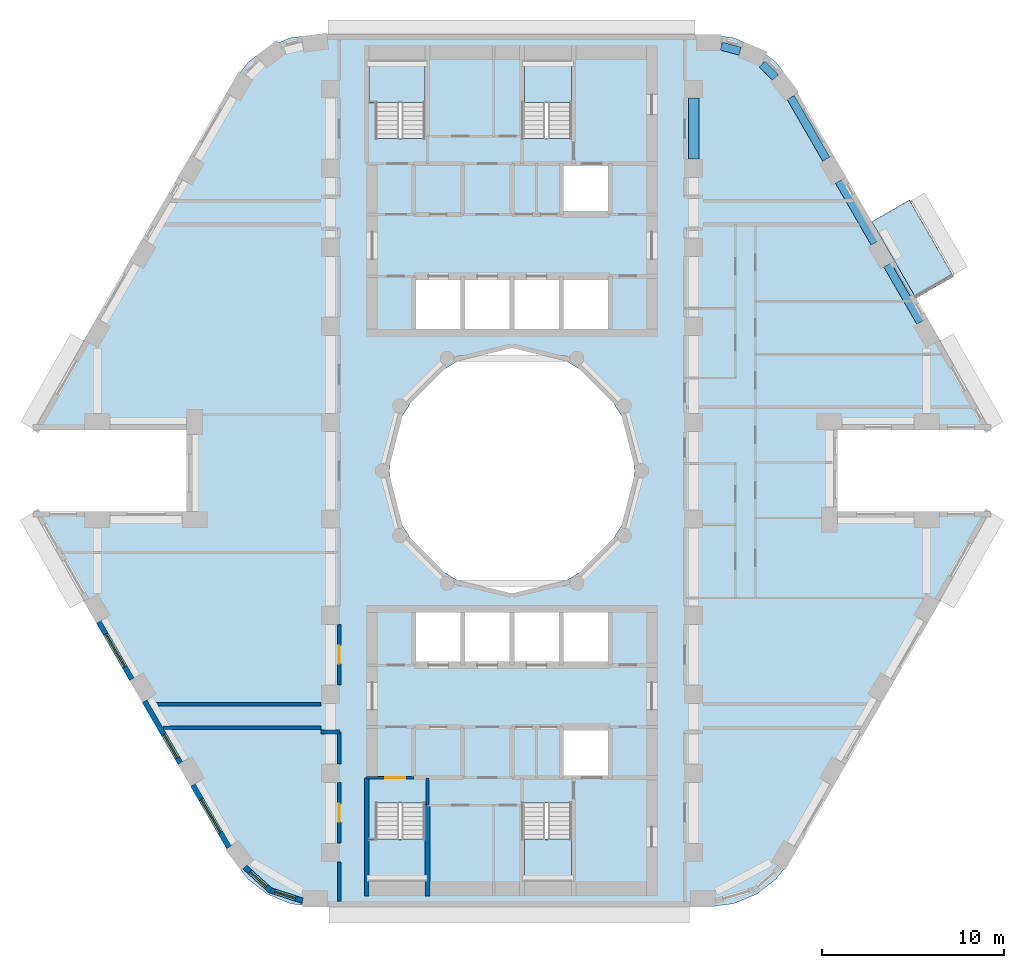
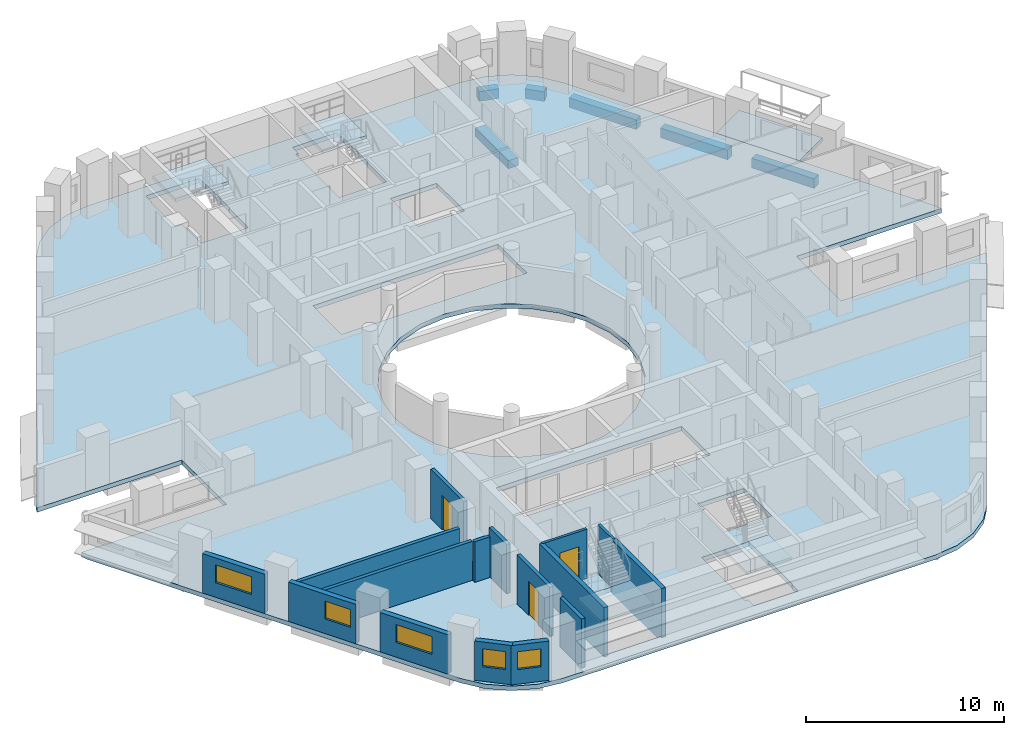
# One storey, part 2 of 13: 16 walls, 6 beams, 6 slabs, 5 windows, 3 doors, 8 openings, 4 elements without a shape of their own.
"""IFC4 building model written with IfcOpenShell, lengths in metres."""

from ifc_helpers import new_model, si_unit, direction, frame, frame_2d, origin, origin_2d, place, context, subcontext, project, spatial, polyline, rectangle, outline, extrude, material, layer, layer_set, material_profile, profile_set, type_object, element, fill, aggregate, save


model = new_model("IFC4")

# Units and contexts
model_context = context("Model", 3, precision=1e-05, world=origin(), true_north=direction((0.0, 1.0)))
body_context = subcontext(model_context, "Body", "Model", "MODEL_VIEW")
ifc_project = project(units=[si_unit("LENGTHUNIT", "METRE"), si_unit("AREAUNIT", "SQUARE_METRE"), si_unit("VOLUMEUNIT", "CUBIC_METRE"), si_unit("PLANEANGLEUNIT", "RADIAN"), si_unit("MASSUNIT", "GRAM", prefix="KILO")], contexts=[model_context])

# Site, building, storey
site_placement = place(None, origin())
site = spatial("IfcSite", under=ifc_project, at=site_placement, CompositionType="ELEMENT")
building_placement = place(site_placement, origin())
building = spatial("IfcBuilding", under=site, at=building_placement, Name="Nakaniwa Court", CompositionType="ELEMENT")
storey_placement = place(building_placement, frame((0.0, 0.0, 81.0)))
storey = spatial("IfcBuildingStorey", under=building, at=storey_placement, Name="L20", CompositionType="ELEMENT", Elevation=81.0)

# Beams
ifc_material_1 = material(Name="Concrete C80/100", Category="concrete")
ifc_material_profile_1 = material_profile(ifc_material_1, rectangle(XDim=0.449951171875, YDim=0.60009765625, at=origin_2d()), Name="Concrete C80/100 RC 450x600 spandrel beam")
ifc_profile_set_1 = profile_set([ifc_material_profile_1], Name="Concrete C80/100")
beam_type_1 = type_object("IfcBeamType", Name="Concrete C80/100 RC 450x600 spandrel beam", PredefinedType="BEAM", material=ifc_profile_set_1)
beam_1_placement = place(storey_placement, frame((102.472900390625, 88.17578125, -0.574951171875), z_axis=(-0.499988394233, 0.866032104273, 0.0), x_axis=(-0.866032104273, -0.499988394233, 0.0)))
element("IfcBeam", 1, at=beam_1_placement, inside=storey, type_object=beam_type_1, Name="SPANDREL BEAM", PredefinedType="BEAM", context=body_context, shape_type="SweptSolid", body=[
    extrude(rectangle(XDim=0.449951171875, YDim=0.60009765625, at=origin_2d()), origin(), (0.0, 0.0, 1.0), 3.62890625),
])
beam_2_placement = place(storey_placement, frame((99.95849609375, 92.531005859375, -0.574951171875), z_axis=(-0.49999161165, 0.866030246746, 0.0), x_axis=(-0.866030246746, -0.49999161165, 0.0)))
element("IfcBeam", 2, at=beam_2_placement, inside=storey, type_object=beam_type_1, Name="SPANDREL BEAM", PredefinedType="BEAM", context=body_context, shape_type="SweptSolid", body=[
    extrude(rectangle(XDim=0.449951171875, YDim=0.60009765625, at=origin_2d()), origin(), (0.0, 0.0, 1.0), 3.92578125),
])
beam_3_placement = place(storey_placement, frame((97.29541015625, 97.143310546875, -0.574951171875), z_axis=(-0.499997407846, 0.86602690036, 0.0), x_axis=(-0.86602690036, -0.499997407846, 0.0)))
element("IfcBeam", 3, at=beam_3_placement, inside=storey, type_object=beam_type_1, Name="SPANDREL BEAM", PredefinedType="BEAM", context=body_context, shape_type="SweptSolid", body=[
    extrude(rectangle(XDim=0.449951171875, YDim=0.60009765625, at=origin_2d()), origin(), (0.0, 0.0, 1.0), 3.919921875),
])
beam_4_placement = place(storey_placement, frame((94.484130859375, 101.6494140625, -0.574951171875), z_axis=(-0.705911336947, 0.7083002078, 0.0), x_axis=(-0.7083002078, -0.705911336947, 0.0)))
element("IfcBeam", 4, at=beam_4_placement, inside=storey, type_object=beam_type_1, Name="SPANDREL BEAM", PredefinedType="BEAM", context=body_context, shape_type="SweptSolid", body=[
    extrude(rectangle(XDim=0.449951171875, YDim=0.60009765625, at=origin_2d()), origin(), (0.0, 0.0, 1.0), 1.02197265625),
])
beam_5_placement = place(storey_placement, frame((92.544921875, 103.091796875, -0.574951171875), z_axis=(-0.966315487466, 0.257360406209, 0.0), x_axis=(-0.257360406209, -0.966315487466, 0.0)))
element("IfcBeam", 5, at=beam_5_placement, inside=storey, type_object=beam_type_1, Name="SPANDREL BEAM", PredefinedType="BEAM", context=body_context, shape_type="SweptSolid", body=[
    extrude(rectangle(XDim=0.449951171875, YDim=0.60009765625, at=origin_2d()), origin(), (0.0, 0.0, 1.0), 1.055908203125),
])
ifc_material_profile_2 = material_profile(ifc_material_1, rectangle(XDim=0.60009765625, YDim=0.5, at=origin_2d()), Name="Concrete C80/100 RC 600x500 ring beam")
ifc_profile_set_2 = profile_set([ifc_material_profile_2], Name="Concrete C80/100")
beam_type_2 = type_object("IfcBeamType", Name="Concrete C80/100 RC 600x500 ring beam", PredefinedType="BEAM", material=ifc_profile_set_2)
beam_6_placement = place(storey_placement, frame((90.0, 97.14990234375, -0.52490234375), z_axis=(0.0, 1.0, 0.0), x_axis=(-1.0, 0.0, 0.0)))
element("IfcBeam", 6, at=beam_6_placement, inside=storey, type_object=beam_type_2, Name="RING BEAM", PredefinedType="BEAM", context=body_context, shape_type="SweptSolid", body=[
    extrude(rectangle(XDim=0.60009765625, YDim=0.5, at=origin_2d()), origin(), (0.0, 0.0, 1.0), 3.35009765625),
])

# Slabs
ifc_material_2 = material(Name="Charcoal ceramic paver")
ifc_layer_1 = layer(ifc_material_2, 0.02, Name="Ceramic paver")
ifc_material_3 = material(Name="Cement sand screed")
ifc_layer_2 = layer(ifc_material_3, 0.03, Name="Falls screed")
ifc_material_4 = material(Name="Concrete C40/50", Category="concrete")
ifc_layer_3 = layer(ifc_material_4, 0.15, Name="Balcony slab")
ifc_layer_set_1 = layer_set([ifc_layer_1, ifc_layer_2, ifc_layer_3], Name="Concrete C40/50 balcony slab with ceramic paver finish")
slab_type_1 = type_object("IfcSlabType", Name="Balcony slab 200", PredefinedType="FLOOR", material=ifc_layer_set_1)
slab_1_placement = place(storey_placement, frame((0.0, 0.0, -0.25)))
element("IfcSlab", 7, at=slab_1_placement, inside=storey, type_object=slab_type_1, Name="L20 balcony 01", PredefinedType="FLOOR", context=body_context, shape_type="SweptSolid", body=[
    extrude(outline(polyline([(102.230712890625, 89.49560546875), (99.797607421875, 93.7099609375), (101.8759765625, 94.909912109375), (104.30908203125, 90.695556640625), (102.230712890625, 89.49560546875)])), origin(), (0.0, 0.0, 1.0), 0.199951171875),
])
ifc_layer_4 = layer(ifc_material_1, 0.27490234375)
ifc_layer_set_2 = layer_set([ifc_layer_4], Name="Concrete C80/100")
slab_type_2 = type_object("IfcSlabType", Name="Concrete C80/100 post tensioned floor slab 275", PredefinedType="FLOOR", material=ifc_layer_set_2)
slab_2_placement = place(storey_placement, frame((0.0, 0.0, -0.27490234375)))
element("IfcSlab", 8, at=slab_2_placement, inside=storey, type_object=slab_type_2, Name="FLOOR SLAB", PredefinedType="FLOOR", context=body_context, shape_type="SweptSolid", body=[
    extrude(outline(polyline([(97.908447265625, 82.25), (106.356689453125, 82.25), (106.211669921875, 82.60009765625), (95.357421875, 101.39990234375), (94.531005859375, 102.47705078125), (93.4541015625, 103.30322265625), (92.199951171875, 103.82275390625), (90.854248046875, 104.0), (69.145751953125, 104.0), (67.800048828125, 103.82275390625), (66.5458984375, 103.30322265625), (65.468994140625, 102.47705078125), (64.642578125, 101.39990234375), (53.788330078125, 82.60009765625), (53.643310546875, 82.25), (62.091552734375, 82.25), (62.091552734375, 77.75), (53.643310546875, 77.75), (53.788330078125, 77.39990234375), (64.642578125, 58.60009765625), (65.468994140625, 57.52294921875), (66.5458984375, 56.69677734375), (67.800048828125, 56.17724609375), (69.145751953125, 56.0), (90.854248046875, 56.0), (92.199951171875, 56.17724609375), (93.4541015625, 56.69677734375), (94.531005859375, 57.52294921875), (95.357421875, 58.60009765625), (106.211669921875, 77.39990234375), (106.356689453125, 77.75), (97.908447265625, 77.75), (97.908447265625, 82.25)]), holes=[polyline([(81.501953125, 86.580810546875), (80.0, 86.75), (78.498046875, 86.580810546875), (77.0712890625, 86.08154296875), (75.79150390625, 85.27734375), (74.72265625, 84.20849609375), (73.91845703125, 82.9287109375), (73.419189453125, 81.501953125), (73.25, 80.0), (73.419189453125, 78.498046875), (73.91845703125, 77.0712890625), (74.72265625, 75.79150390625), (75.79150390625, 74.72265625), (77.0712890625, 73.91845703125), (78.498046875, 73.419189453125), (80.0, 73.25), (81.501953125, 73.419189453125), (82.9287109375, 73.91845703125), (84.20849609375, 74.72265625), (85.27734375, 75.79150390625), (86.08154296875, 77.0712890625), (86.580810546875, 78.498046875), (86.75, 80.0), (86.580810546875, 81.501953125), (86.08154296875, 82.9287109375), (85.27734375, 84.20849609375), (84.20849609375, 85.27734375), (82.9287109375, 86.08154296875), (81.501953125, 86.580810546875)]), polyline([(75.264892578125, 57.360107421875), (75.264892578125, 59.764892578125), (75.22509765625, 59.764892578125), (75.22509765625, 61.7099609375), (72.47509765625, 61.7099609375), (72.47509765625, 59.764892578125), (72.0849609375, 59.764892578125), (72.0849609375, 57.360107421875), (72.125, 57.360107421875), (72.125, 56.72509765625), (75.22509765625, 56.72509765625), (75.22509765625, 57.324951171875), (75.22509765625, 57.360107421875), (75.264892578125, 57.360107421875)]), polyline([(80.0, 69.300048828125), (82.699951171875, 69.300048828125), (85.39990234375, 69.300048828125), (85.39990234375, 72.199951171875), (82.699951171875, 72.199951171875), (80.0, 72.199951171875), (77.300048828125, 72.199951171875), (74.60009765625, 72.199951171875), (74.60009765625, 69.300048828125), (77.300048828125, 69.300048828125), (80.0, 69.300048828125)]), polyline([(80.0, 87.800048828125), (82.699951171875, 87.800048828125), (85.39990234375, 87.800048828125), (85.39990234375, 90.699951171875), (82.699951171875, 90.699951171875), (80.0, 90.699951171875), (77.300048828125, 90.699951171875), (74.60009765625, 90.699951171875), (74.60009765625, 87.800048828125), (77.300048828125, 87.800048828125), (80.0, 87.800048828125)]), polyline([(75.264892578125, 100.235107421875), (75.264892578125, 102.639892578125), (75.22509765625, 102.639892578125), (75.22509765625, 102.675048828125), (75.22509765625, 103.27490234375), (72.125, 103.27490234375), (72.125, 102.639892578125), (72.0849609375, 102.639892578125), (72.0849609375, 100.235107421875), (72.47509765625, 100.235107421875), (72.47509765625, 98.2900390625), (75.22509765625, 98.2900390625), (75.22509765625, 100.235107421875), (75.264892578125, 100.235107421875)]), polyline([(83.27490234375, 61.7099609375), (80.52490234375, 61.7099609375), (80.52490234375, 57.324951171875), (80.675048828125, 57.324951171875), (80.675048828125, 56.72509765625), (83.27490234375, 56.72509765625), (83.27490234375, 57.324951171875), (83.27490234375, 57.360107421875), (83.31494140625, 57.360107421875), (83.31494140625, 59.764892578125), (83.27490234375, 59.764892578125), (83.27490234375, 61.7099609375)]), polyline([(85.39990234375, 65.89990234375), (82.699951171875, 65.89990234375), (82.699951171875, 63.10009765625), (85.39990234375, 63.10009765625), (85.39990234375, 65.89990234375)]), polyline([(85.39990234375, 96.89990234375), (82.699951171875, 96.89990234375), (82.699951171875, 94.10009765625), (85.39990234375, 94.10009765625), (85.39990234375, 96.89990234375)]), polyline([(83.27490234375, 100.235107421875), (83.31494140625, 100.235107421875), (83.31494140625, 102.639892578125), (83.27490234375, 102.639892578125), (83.27490234375, 102.675048828125), (83.27490234375, 103.27490234375), (80.675048828125, 103.27490234375), (80.675048828125, 102.675048828125), (80.52490234375, 102.675048828125), (80.52490234375, 98.2900390625), (83.27490234375, 98.2900390625), (83.27490234375, 100.235107421875)])]), origin(), (0.0, 0.0, 1.0), 0.27490234375),
])

# Stair, slab
stair_type = type_object("IfcStairType", Name="Dog leg stair 1300 wide 18 risers", PredefinedType="HALF_TURN_STAIR", material=ifc_material_1)
stair_1_placement = place(storey_placement, origin())
stair_1 = element("IfcStair", 9, at=stair_1_placement, inside=storey, type_object=stair_type, Name="L20 Stair ST1", PredefinedType="HALF_TURN_STAIR")
ifc_layer_5 = layer(ifc_material_1, 0.199951171875)
ifc_layer_set_3 = layer_set([ifc_layer_5], Name="Concrete C80/100")
slab_type_3 = type_object("IfcSlabType", Name="Stair landing concrete", PredefinedType="LANDING", material=ifc_layer_set_3)
slab_3_placement = place(storey_placement, frame((0.0, 0.0, 1.449951171875)))
slab_3 = element("IfcSlab", 10, at=slab_3_placement, type_object=slab_type_3, Name="ST1 landing 1", PredefinedType="LANDING", context=body_context, shape_type="SweptSolid", body=[
    extrude(outline(polyline([(75.22509765625, 100.27490234375), (75.22509765625, 102.60009765625), (72.125, 102.60009765625), (72.125, 100.27490234375), (75.22509765625, 100.27490234375)])), origin(), (0.0, 0.0, 1.0), 0.199951171875),
])
aggregate(stair_1, [slab_3])

stair_2_placement = place(storey_placement, origin())
stair_2 = element("IfcStair", 11, at=stair_2_placement, inside=storey, type_object=stair_type, Name="L20 Stair ST2", PredefinedType="HALF_TURN_STAIR")
slab_4_placement = place(storey_placement, frame((0.0, 0.0, 1.449951171875)))
slab_4 = element("IfcSlab", 12, at=slab_4_placement, type_object=slab_type_3, Name="ST2 landing 1", PredefinedType="LANDING", context=body_context, shape_type="SweptSolid", body=[
    extrude(outline(polyline([(83.27490234375, 100.27490234375), (83.27490234375, 102.60009765625), (80.675048828125, 102.60009765625), (80.675048828125, 100.27490234375), (83.27490234375, 100.27490234375)])), origin(), (0.0, 0.0, 1.0), 0.199951171875),
])
aggregate(stair_2, [slab_4])

stair_3_placement = place(storey_placement, origin())
stair_3 = element("IfcStair", 13, at=stair_3_placement, inside=storey, type_object=stair_type, Name="L20 Stair ST3", PredefinedType="HALF_TURN_STAIR")
slab_5_placement = place(storey_placement, frame((0.0, 0.0, 1.449951171875)))
slab_5 = element("IfcSlab", 14, at=slab_5_placement, type_object=slab_type_3, Name="ST3 landing 1", PredefinedType="LANDING", context=body_context, shape_type="SweptSolid", body=[
    extrude(outline(polyline([(75.22509765625, 57.39990234375), (75.22509765625, 59.72509765625), (72.125, 59.72509765625), (72.125, 57.39990234375), (75.22509765625, 57.39990234375)])), origin(), (0.0, 0.0, 1.0), 0.199951171875),
])
aggregate(stair_3, [slab_5])

stair_4_placement = place(storey_placement, origin())
stair_4 = element("IfcStair", 15, at=stair_4_placement, inside=storey, type_object=stair_type, Name="L20 Stair ST4", PredefinedType="HALF_TURN_STAIR")
slab_6_placement = place(storey_placement, frame((0.0, 0.0, 1.449951171875)))
slab_6 = element("IfcSlab", 16, at=slab_6_placement, type_object=slab_type_3, Name="ST4 landing 1", PredefinedType="LANDING", context=body_context, shape_type="SweptSolid", body=[
    extrude(outline(polyline([(83.27490234375, 57.39990234375), (83.27490234375, 59.72509765625), (80.675048828125, 59.72509765625), (80.675048828125, 57.39990234375), (83.27490234375, 57.39990234375)])), origin(), (0.0, 0.0, 1.0), 0.199951171875),
])
aggregate(stair_4, [slab_6])

# Walls
ifc_material_5 = material(Name="Acoustic double stud partition")
ifc_layer_6 = layer(ifc_material_5, 0.199951171875)
ifc_layer_set_4 = layer_set([ifc_layer_6], Name="Acoustic double stud partition")
wall_type_1 = type_object("IfcWallType", Name="Acoustic double stud partition 200", PredefinedType="PARTITIONING", material=ifc_layer_set_4)
wall_1_placement = place(storey_placement, frame((60.052490234375, 67.14990234375, 0.0), z_axis=(0.0, 0.0, 1.0), x_axis=(1.0, 0.0, 0.0)))
element("IfcWall", 17, at=wall_1_placement, inside=storey, type_object=wall_type_1, Name="Partition PW-089", PredefinedType="PARTITIONING", context=body_context, shape_type="SweptSolid", body=[
    extrude(rectangle(XDim=9.447509765625, YDim=0.199951171875, at=frame_2d((4.7236328125, 0.0))), origin(), (0.0, 0.0, 1.0), 2.405029296875),
])
wall_2_placement = place(storey_placement, frame((60.802978515625, 65.85009765625, 0.0), z_axis=(0.0, 0.0, 1.0), x_axis=(1.0, 0.0, 0.0)))
element("IfcWall", 18, at=wall_2_placement, inside=storey, type_object=wall_type_1, Name="Partition PW-091", PredefinedType="PARTITIONING", context=body_context, shape_type="SweptSolid", body=[
    extrude(rectangle(XDim=8.697021484375, YDim=0.199951171875, at=frame_2d((4.3486328125, 0.0))), origin(), (0.0, 0.0, 1.0), 2.405029296875),
])
wall_3_placement = place(storey_placement, frame((69.5, 65.625, 0.0), z_axis=(0.0, 0.0, 1.0), x_axis=(1.0, 0.0, 0.0)))
element("IfcWall", 19, at=wall_3_placement, inside=storey, type_object=wall_type_1, Name="Partition PW-093", PredefinedType="PARTITIONING", context=body_context, shape_type="SweptSolid", body=[
    extrude(rectangle(XDim=1.0, YDim=0.199951171875, at=frame_2d((0.5, 0.0))), origin(), (0.0, 0.0, 1.0), 2.5048828125),
])
wall_4_placement = place(storey_placement, frame((70.5, 56.300048828125, 0.0), z_axis=(0.0, 0.0, 1.0), x_axis=(0.0, 1.0, 0.0)))
element("IfcWall", 20, at=wall_4_placement, inside=storey, type_object=wall_type_1, Name="Partition PW-095", PredefinedType="PARTITIONING", context=body_context, shape_type="SweptSolid", body=[
    extrude(rectangle(XDim=2.182861328125, YDim=0.199951171875, at=frame_2d((1.09130859375, 0.0))), origin(), (0.0, 0.0, 1.0), 3.02490234375),
])

# Wall, opening, door
wall_5_placement = place(storey_placement, frame((70.5, 59.51708984375, 0.0), z_axis=(0.0, 0.0, 1.0), x_axis=(0.0, 1.0, 0.0)))
wall_5 = element("IfcWall", 21, at=wall_5_placement, inside=storey, type_object=wall_type_1, Name="Partition PW-096", PredefinedType="PARTITIONING", context=body_context, shape_type="SweptSolid", body=[
    extrude(rectangle(XDim=3.31591796875, YDim=0.199951171875, at=frame_2d((1.657958984375, 0.0))), origin(), (0.0, 0.0, 1.0), 3.02490234375),
])
opening_1_placement = place(wall_5_placement, frame((1.157958984375, 0.0, 0.0)))
opening_1 = element("IfcOpeningElement", 22, at=opening_1_placement, cuts=wall_5, Name="Opening D-02-03", PredefinedType="OPENING", context=body_context, shape_type="SweptSolid", body=[
    extrude(rectangle(XDim=1.0, YDim=2.10009765625, at=frame_2d((0.5, 1.050048828125))), frame((0.0, 0.10986328125, 0.0), z_axis=(0.0, -1.0, 0.0), x_axis=(1.0, 0.0, 0.0)), (0.0, 0.0, 1.0), 0.219970703125),
])
ifc_material_6 = material(Name="Solid core timber door set, black veneer", Category="wood")
door_type_1 = type_object("IfcDoorType", Name="Internal door 1000", OperationType="NOTDEFINED", PredefinedType="DOOR", material=ifc_material_6)
door_1_placement = place(opening_1_placement, origin())
door_1 = element("IfcDoor", 23, at=door_1_placement, inside=storey, type_object=door_type_1, Name="Door D-02-03 L20-041", OperationType="SINGLE_SWING_RIGHT", OverallHeight=2.10009765625, OverallWidth=1.0, PredefinedType="DOOR", context=body_context, shape_type="SweptSolid", body=[
    extrude(rectangle(XDim=1.0, YDim=2.10009765625, at=frame_2d((0.5, 1.050048828125))), frame((0.0, 0.02490234375, 0.0), z_axis=(0.0, -1.0, 0.0), x_axis=(1.0, 0.0, 0.0)), (0.0, 0.0, 1.0), 0.050048828125),
])
fill(opening_1, door_1)

# Wall
wall_6_placement = place(storey_placement, frame((70.5, 63.866943359375, 0.0), z_axis=(0.0, 0.0, 1.0), x_axis=(0.0, 1.0, 0.0)))
element("IfcWall", 24, at=wall_6_placement, inside=storey, type_object=wall_type_1, Name="Partition PW-097", PredefinedType="PARTITIONING", context=body_context, shape_type="SweptSolid", body=[
    extrude(rectangle(XDim=1.760986328125, YDim=0.199951171875, at=frame_2d((0.88037109375, 0.0))), origin(), (0.0, 0.0, 1.0), 3.02490234375),
])

# Wall, opening, door
wall_7_placement = place(storey_placement, frame((70.5, 68.217041015625, 0.0), z_axis=(0.0, 0.0, 1.0), x_axis=(0.0, 1.0, 0.0)))
wall_7 = element("IfcWall", 25, at=wall_7_placement, inside=storey, type_object=wall_type_1, Name="Partition PW-098", PredefinedType="PARTITIONING", context=body_context, shape_type="SweptSolid", body=[
    extrude(rectangle(XDim=3.31591796875, YDim=0.199951171875, at=frame_2d((1.657958984375, 0.0))), origin(), (0.0, 0.0, 1.0), 3.02490234375),
])
opening_2_placement = place(wall_7_placement, frame((1.157958984375, 0.0, 0.0)))
opening_2 = element("IfcOpeningElement", 26, at=opening_2_placement, cuts=wall_7, Name="Opening D-02-04", PredefinedType="OPENING", context=body_context, shape_type="SweptSolid", body=[
    extrude(rectangle(XDim=1.0, YDim=2.10009765625, at=frame_2d((0.5, 1.050048828125))), frame((0.0, 0.10986328125, 0.0), z_axis=(0.0, -1.0, 0.0), x_axis=(1.0, 0.0, 0.0)), (0.0, 0.0, 1.0), 0.219970703125),
])
door_2_placement = place(opening_2_placement, origin())
door_2 = element("IfcDoor", 27, at=door_2_placement, inside=storey, type_object=door_type_1, Name="Door D-02-04 L20-042", OperationType="SINGLE_SWING_LEFT", OverallHeight=2.10009765625, OverallWidth=1.0, PredefinedType="DOOR", context=body_context, shape_type="SweptSolid", body=[
    extrude(rectangle(XDim=1.0, YDim=2.10009765625, at=frame_2d((0.5, 1.050048828125))), frame((0.0, 0.02490234375, 0.0), z_axis=(0.0, -1.0, 0.0), x_axis=(1.0, 0.0, 0.0)), (0.0, 0.0, 1.0), 0.050048828125),
])
fill(opening_2, door_2)

# Wall, opening, window
ifc_material_7 = material(Name="Charcoal ceramic cladding")
ifc_layer_7 = layer(ifc_material_7, 0.02, Name="Ceramic cladding")
ifc_material_8 = material(Name="Ventilated air cavity")
ifc_layer_8 = layer(ifc_material_8, 0.04, ventilated=True, Name="Ventilated cavity")
ifc_material_9 = material(Name="Mineral wool insulation")
ifc_layer_9 = layer(ifc_material_9, 0.1, Name="Insulation")
ifc_material_10 = material(Name="Cement bonded sheathing board")
ifc_layer_10 = layer(ifc_material_10, 0.012, Name="Sheathing")
ifc_material_11 = material(Name="Cold-formed galvanised stud frame with mineral wool infill")
ifc_layer_11 = layer(ifc_material_11, 0.1, Name="Stud frame")
ifc_material_12 = material(Name="Fire-rated gypsum plasterboard lining")
ifc_layer_12 = layer(ifc_material_12, 0.028, Name="Lining")
ifc_layer_set_5 = layer_set([ifc_layer_7, ifc_layer_8, ifc_layer_9, ifc_layer_10, ifc_layer_11, ifc_layer_12], Name="Charcoal ceramic faced external wall system")
wall_type_2 = type_object("IfcWallType", Name="Black ceramic faced external wall 300", PredefinedType="SOLIDWALL", material=ifc_layer_set_5)
wall_8_placement = place(storey_placement, frame((57.265380859375, 71.677490234375, 0.0), z_axis=(0.0, 0.0, 1.0), x_axis=(0.500009139881, -0.866020126807, 0.0)))
wall_8 = element("IfcWall", 28, at=wall_8_placement, inside=storey, type_object=wall_type_2, Name="L20 external wall 21", PredefinedType="SOLIDWALL", context=body_context, shape_type="SweptSolid", body=[
    extrude(rectangle(XDim=3.63671875, YDim=0.300048828125, at=frame_2d((1.818359375, 0.0))), origin(), (0.0, 0.0, 1.0), 2.425048828125),
])
opening_3_placement = place(wall_8_placement, frame((0.768310546875, 0.0, 0.89990234375)))
opening_3 = element("IfcOpeningElement", 29, at=opening_3_placement, cuts=wall_8, Name="Opening W7.22", PredefinedType="OPENING", context=body_context, shape_type="SweptSolid", body=[
    extrude(rectangle(XDim=2.10009765625, YDim=1.10009765625, at=frame_2d((1.050048828125, 0.550048828125))), frame((0.0, 0.159912109375, 0.0), z_axis=(0.0, -1.0, 0.0), x_axis=(1.0, 0.0, 0.0)), (0.0, 0.0, 1.0), 0.320068359375),
])
ifc_material_13 = material(Name="Black anodised aluminium frame with dark low-E laminated double glazing", Category="aluminium")
window_type_1 = type_object("IfcWindowType", Name="Dark glass window 2100x1100 sill 900", PartitioningType="SINGLE_PANEL", PredefinedType="WINDOW", material=ifc_material_13)
window_1_placement = place(opening_3_placement, origin())
window_1 = element("IfcWindow", 30, at=window_1_placement, inside=storey, type_object=window_type_1, Name="L20 habitable room window 21-0", OverallHeight=1.10009765625, OverallWidth=2.10009765625, PartitioningType="SINGLE_PANEL", PredefinedType="WINDOW", context=body_context, shape_type="SweptSolid", body=[
    extrude(rectangle(XDim=2.10009765625, YDim=1.10009765625, at=frame_2d((1.050048828125, 0.550048828125))), frame((0.0, 0.030029296875, 0.0), z_axis=(0.0, -1.0, 0.0), x_axis=(1.0, 0.0, 0.0)), (0.0, 0.0, 1.0), 0.06005859375),
])
fill(opening_3, window_1)

wall_9_placement = place(storey_placement, frame((59.77978515625, 67.322509765625, 0.0), z_axis=(0.0, 0.0, 1.0), x_axis=(0.499957037901, -0.866050206543, 0.0)))
wall_9 = element("IfcWall", 31, at=wall_9_placement, inside=storey, type_object=wall_type_2, Name="L20 external wall 22", PredefinedType="SOLIDWALL", context=body_context, shape_type="SweptSolid", body=[
    extrude(rectangle(XDim=3.933837890625, YDim=0.300048828125, at=frame_2d((1.966796875, 0.0))), origin(), (0.0, 0.0, 1.0), 2.425048828125),
])
opening_4_placement = place(wall_9_placement, frame((2.104248046875, 0.0, 0.89990234375)))
opening_4 = element("IfcOpeningElement", 32, at=opening_4_placement, cuts=wall_9, Name="Opening W5.23", PredefinedType="OPENING", context=body_context, shape_type="SweptSolid", body=[
    extrude(rectangle(XDim=1.5, YDim=1.10009765625, at=frame_2d((0.75, 0.550048828125))), frame((0.0, 0.159912109375, 0.0), z_axis=(0.0, -1.0, 0.0), x_axis=(1.0, 0.0, 0.0)), (0.0, 0.0, 1.0), 0.320068359375),
])
window_type_2 = type_object("IfcWindowType", Name="Dark glass window 1500x1100 sill 900", PartitioningType="SINGLE_PANEL", PredefinedType="WINDOW", material=ifc_material_13)
window_2_placement = place(opening_4_placement, origin())
window_2 = element("IfcWindow", 33, at=window_2_placement, inside=storey, type_object=window_type_2, Name="L20 habitable room window 22-2", OverallHeight=1.10009765625, OverallWidth=1.5, PartitioningType="SINGLE_PANEL", PredefinedType="WINDOW", context=body_context, shape_type="SweptSolid", body=[
    extrude(rectangle(XDim=1.5, YDim=1.10009765625, at=frame_2d((0.75, 0.550048828125))), frame((0.0, 0.030029296875, 0.0), z_axis=(0.0, -1.0, 0.0), x_axis=(1.0, 0.0, 0.0)), (0.0, 0.0, 1.0), 0.06005859375),
])
fill(opening_4, window_2)

wall_10_placement = place(storey_placement, frame((62.442626953125, 62.710205078125, 0.0), z_axis=(0.0, 0.0, 1.0), x_axis=(0.500043828347, -0.866000097998, 0.0)))
wall_10 = element("IfcWall", 34, at=wall_10_placement, inside=storey, type_object=wall_type_2, Name="L20 external wall 23", PredefinedType="SOLIDWALL", context=body_context, shape_type="SweptSolid", body=[
    extrude(rectangle(XDim=3.967529296875, YDim=0.300048828125, at=frame_2d((1.98388671875, 0.0))), origin(), (0.0, 0.0, 1.0), 2.425048828125),
])
opening_5_placement = place(wall_10_placement, frame((0.92236328125, 0.0, 0.89990234375)))
opening_5 = element("IfcOpeningElement", 35, at=opening_5_placement, cuts=wall_10, Name="Opening W7.24", PredefinedType="OPENING", context=body_context, shape_type="SweptSolid", body=[
    extrude(rectangle(XDim=2.10009765625, YDim=1.10009765625, at=frame_2d((1.050048828125, 0.550048828125))), frame((0.0, 0.159912109375, 0.0), z_axis=(0.0, -1.0, 0.0), x_axis=(1.0, 0.0, 0.0)), (0.0, 0.0, 1.0), 0.320068359375),
])
window_3_placement = place(opening_5_placement, origin())
window_3 = element("IfcWindow", 36, at=window_3_placement, inside=storey, type_object=window_type_1, Name="L20 habitable room window 23-0", OverallHeight=1.10009765625, OverallWidth=2.10009765625, PartitioningType="SINGLE_PANEL", PredefinedType="WINDOW", context=body_context, shape_type="SweptSolid", body=[
    extrude(rectangle(XDim=2.10009765625, YDim=1.10009765625, at=frame_2d((1.050048828125, 0.550048828125))), frame((0.0, 0.030029296875, 0.0), z_axis=(0.0, -1.0, 0.0), x_axis=(1.0, 0.0, 0.0)), (0.0, 0.0, 1.0), 0.06005859375),
])
fill(opening_5, window_3)

wall_11_placement = place(storey_placement, frame((65.294921875, 58.18603515625, 0.0), z_axis=(0.0, 0.0, 1.0), x_axis=(0.740421367382, -0.672142989791, 0.0)))
wall_11 = element("IfcWall", 37, at=wall_11_placement, inside=storey, type_object=wall_type_2, Name="L20 external wall 24", PredefinedType="SOLIDWALL", context=body_context, shape_type="SweptSolid", body=[
    extrude(rectangle(XDim=1.92724609375, YDim=0.300048828125, at=frame_2d((0.963623046875, 0.0))), origin(), (0.0, 0.0, 1.0), 2.425048828125),
])
opening_6_placement = place(wall_11_placement, frame((0.39111328125, 0.0, 0.89990234375)))
opening_6 = element("IfcOpeningElement", 38, at=opening_6_placement, cuts=wall_11, Name="Opening W6.25", PredefinedType="OPENING", context=body_context, shape_type="SweptSolid", body=[
    extrude(rectangle(XDim=1.199951171875, YDim=1.10009765625, at=frame_2d((0.60009765625, 0.550048828125))), frame((0.0, 0.159912109375, 0.0), z_axis=(0.0, -1.0, 0.0), x_axis=(1.0, 0.0, 0.0)), (0.0, 0.0, 1.0), 0.320068359375),
])
window_type_3 = type_object("IfcWindowType", Name="Dark glass window 1200x1100 sill 900", PartitioningType="SINGLE_PANEL", PredefinedType="WINDOW", material=ifc_material_13)
window_4_placement = place(opening_6_placement, origin())
window_4 = element("IfcWindow", 39, at=window_4_placement, inside=storey, type_object=window_type_3, Name="L20 habitable room window 24-0", OverallHeight=1.10009765625, OverallWidth=1.199951171875, PartitioningType="SINGLE_PANEL", PredefinedType="WINDOW", context=body_context, shape_type="SweptSolid", body=[
    extrude(rectangle(XDim=1.199951171875, YDim=1.10009765625, at=frame_2d((0.60009765625, 0.550048828125))), frame((0.0, 0.030029296875, 0.0), z_axis=(0.0, -1.0, 0.0), x_axis=(1.0, 0.0, 0.0)), (0.0, 0.0, 1.0), 0.06005859375),
])
fill(opening_6, window_4)

wall_12_placement = place(storey_placement, frame((66.625, 56.939453125, 0.0), z_axis=(0.0, 0.0, 1.0), x_axis=(0.950777961763, -0.309872985958, 0.0)))
wall_12 = element("IfcWall", 40, at=wall_12_placement, inside=storey, type_object=wall_type_2, Name="L20 external wall 25", PredefinedType="SOLIDWALL", context=body_context, shape_type="SweptSolid", body=[
    extrude(rectangle(XDim=1.949951171875, YDim=0.300048828125, at=frame_2d((0.97509765625, 0.0))), origin(), (0.0, 0.0, 1.0), 2.425048828125),
])
opening_7_placement = place(wall_12_placement, frame((0.334716796875, 0.0, 0.89990234375)))
opening_7 = element("IfcOpeningElement", 41, at=opening_7_placement, cuts=wall_12, Name="Opening W6.26", PredefinedType="OPENING", context=body_context, shape_type="SweptSolid", body=[
    extrude(rectangle(XDim=1.199951171875, YDim=1.10009765625, at=frame_2d((0.60009765625, 0.550048828125))), frame((0.0, 0.159912109375, 0.0), z_axis=(0.0, -1.0, 0.0), x_axis=(1.0, 0.0, 0.0)), (0.0, 0.0, 1.0), 0.320068359375),
])
window_5_placement = place(opening_7_placement, origin())
window_5 = element("IfcWindow", 42, at=window_5_placement, inside=storey, type_object=window_type_3, Name="L20 habitable room window 25-0", OverallHeight=1.10009765625, OverallWidth=1.199951171875, PartitioningType="SINGLE_PANEL", PredefinedType="WINDOW", context=body_context, shape_type="SweptSolid", body=[
    extrude(rectangle(XDim=1.199951171875, YDim=1.10009765625, at=frame_2d((0.60009765625, 0.550048828125))), frame((0.0, 0.030029296875, 0.0), z_axis=(0.0, -1.0, 0.0), x_axis=(1.0, 0.0, 0.0)), (0.0, 0.0, 1.0), 0.06005859375),
])
fill(opening_7, window_5)

# Wall, opening, door
ifc_layer_13 = layer(ifc_material_1, 0.14990234375)
ifc_layer_set_6 = layer_set([ifc_layer_13], Name="Concrete C80/100")
wall_type_3 = type_object("IfcWallType", Name="Concrete core wall 150 C80", PredefinedType="SHEAR", material=ifc_layer_set_6)
wall_13_placement = place(storey_placement, frame((72.0, 63.10009765625, -0.27490234375), z_axis=(0.0, 0.0, 1.0), x_axis=(1.0, 0.0, 0.0)))
wall_13 = element("IfcWall", 43, at=wall_13_placement, inside=storey, type_object=wall_type_3, Name="Core wall SW-56", PredefinedType="SHEAR", context=body_context, shape_type="SweptSolid", body=[
    extrude(rectangle(XDim=2.60009765625, YDim=0.14990234375, at=frame_2d((1.300048828125, 0.0))), origin(), (0.0, 0.0, 1.0), 3.2998046875),
])
opening_8_placement = place(wall_13_placement, frame((1.02001953125, 0.0, 0.27490234375)))
opening_8 = element("IfcOpeningElement", 44, at=opening_8_placement, cuts=wall_13, Name="Opening D-09-02", PredefinedType="OPENING", context=body_context, shape_type="SweptSolid", body=[
    extrude(rectangle(XDim=1.10009765625, YDim=2.10009765625, at=frame_2d((0.550048828125, 1.050048828125))), frame((0.0, 0.0849609375, 0.0), z_axis=(0.0, -1.0, 0.0), x_axis=(1.0, 0.0, 0.0)), (0.0, 0.0, 1.0), 0.169921875),
])
ifc_material_14 = material(Name="Fire rated steel door set", Category="steel")
door_type_2 = type_object("IfcDoorType", Name="Stair door 1100", OperationType="NOTDEFINED", PredefinedType="DOOR", material=ifc_material_14)
door_3_placement = place(opening_8_placement, origin())
door_3 = element("IfcDoor", 45, at=door_3_placement, inside=storey, type_object=door_type_2, Name="Door D-09-02 L20-025", OperationType="SINGLE_SWING_LEFT", OverallHeight=2.10009765625, OverallWidth=1.10009765625, PredefinedType="DOOR", context=body_context, shape_type="SweptSolid", body=[
    extrude(rectangle(XDim=1.10009765625, YDim=2.10009765625, at=frame_2d((0.550048828125, 1.050048828125))), frame((0.0, 0.02490234375, 0.0), z_axis=(0.0, -1.0, 0.0), x_axis=(1.0, 0.0, 0.0)), (0.0, 0.0, 1.0), 0.050048828125),
])
fill(opening_8, door_3)

# Walls
wall_14_placement = place(storey_placement, frame((75.35009765625, 61.596923828125, -0.27490234375), z_axis=(0.0, 0.0, 1.0), x_axis=(0.0, 1.0, 0.0)))
element("IfcWall", 46, at=wall_14_placement, inside=storey, type_object=wall_type_3, Name="Core wall SW-61", PredefinedType="SHEAR", context=body_context, shape_type="SweptSolid", body=[
    extrude(rectangle(XDim=1.503173828125, YDim=0.14990234375, at=frame_2d((0.75146484375, 0.0))), origin(), (0.0, 0.0, 1.0), 3.2998046875),
])
ifc_layer_14 = layer(ifc_material_1, 0.25)
ifc_layer_set_7 = layer_set([ifc_layer_14], Name="Concrete C80/100")
wall_type_4 = type_object("IfcWallType", Name="Concrete core wall 250 C80", PredefinedType="SHEAR", material=ifc_layer_set_7)
wall_15_placement = place(storey_placement, frame((72.0, 56.60009765625, -0.27490234375), z_axis=(0.0, 0.0, 1.0), x_axis=(0.0, 1.0, 0.0)))
element("IfcWall", 47, at=wall_15_placement, inside=storey, type_object=wall_type_4, Name="Core wall SW-63", PredefinedType="SHEAR", context=body_context, shape_type="SweptSolid", body=[
    extrude(rectangle(XDim=6.5, YDim=0.25, at=frame_2d((3.25, 0.0))), origin(), (0.0, 0.0, 1.0), 3.2998046875),
])
ifc_layer_15 = layer(ifc_material_1, 0.25)
ifc_layer_set_8 = layer_set([ifc_layer_15], Name="Concrete C80/100")
wall_type_5 = type_object("IfcWallType", Name="Concrete shaft wall 250 C80", PredefinedType="SHEAR", material=ifc_layer_set_8)
wall_16_placement = place(storey_placement, frame((75.35009765625, 56.60009765625, -0.27490234375), z_axis=(0.0, 0.0, 1.0), x_axis=(0.0, 1.0, 0.0)))
element("IfcWall", 48, at=wall_16_placement, inside=storey, type_object=wall_type_5, Name="Core wall SW-62", PredefinedType="SHEAR", context=body_context, shape_type="SweptSolid", body=[
    extrude(rectangle(XDim=5.0029296875, YDim=0.25, at=frame_2d((2.50146484375, 0.0))), origin(), (0.0, 0.0, 1.0), 3.2998046875),
])

save(model, "model.ifc")
